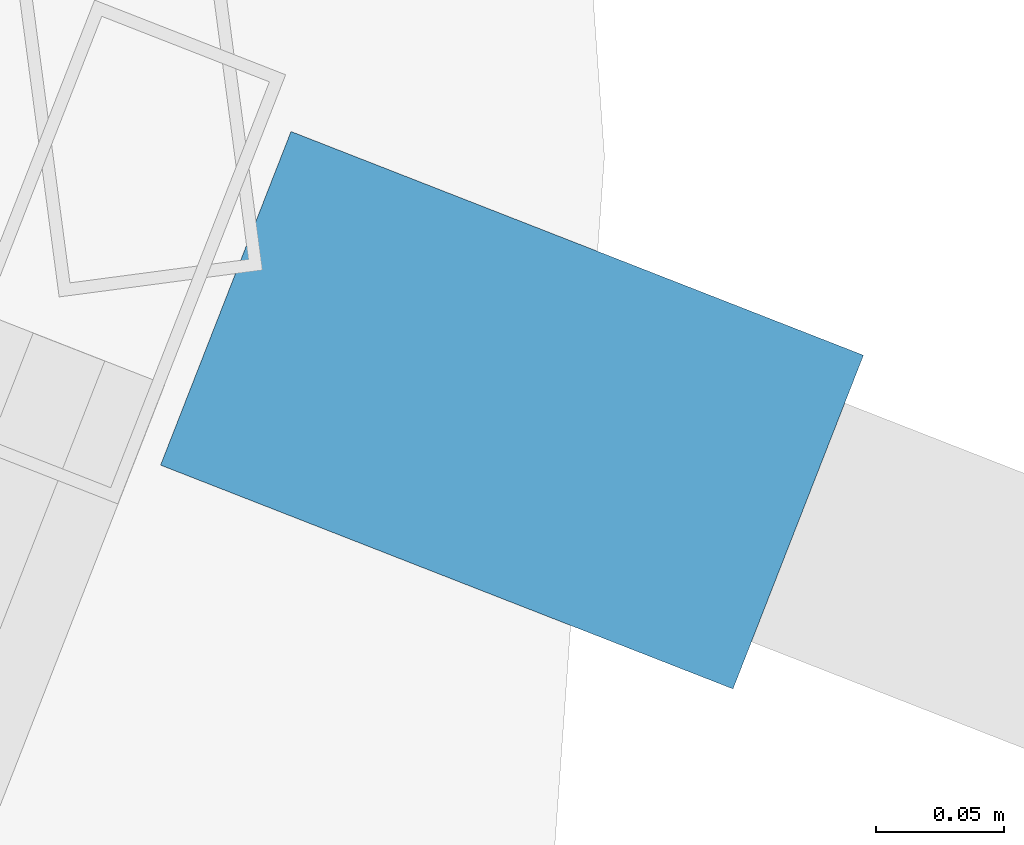
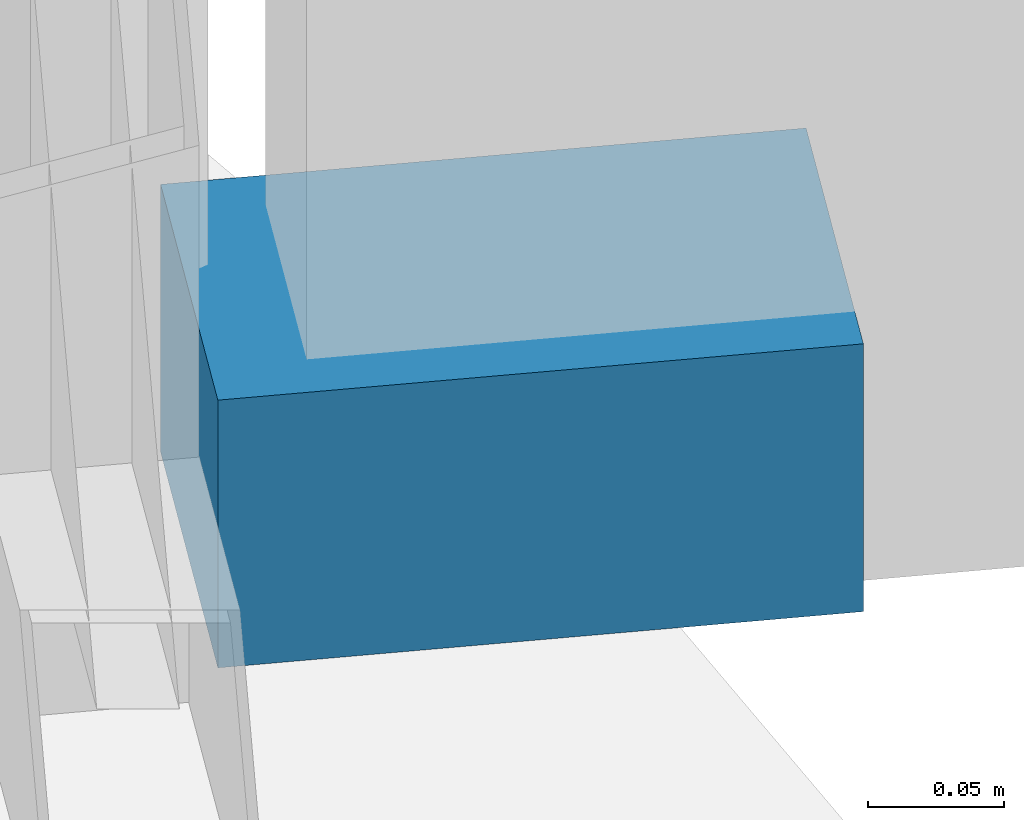
# One storey, part 30 of 33: 1 discrete accessory.
"""IFC4 building model written with IfcOpenShell, lengths in metres."""

from ifc_helpers import new_model, si_unit, direction, frame, origin, origin_2d, place, context, subcontext, project, spatial, rectangle, extrude, material, type_object, element, save


model = new_model("IFC4")

# Units and contexts
model_context = context("Model", 3, precision=1e-05, world=origin(), true_north=direction((0.0, 1.0)))
body_context = subcontext(model_context, "Body", "Model", "MODEL_VIEW")
ifc_project = project(units=[si_unit("LENGTHUNIT", "METRE"), si_unit("AREAUNIT", "SQUARE_METRE"), si_unit("VOLUMEUNIT", "CUBIC_METRE"), si_unit("PLANEANGLEUNIT", "RADIAN"), si_unit("MASSUNIT", "GRAM", prefix="KILO")], contexts=[model_context])

# Site, building, storey
site_placement = place(None, origin())
site = spatial("IfcSite", under=ifc_project, at=site_placement, CompositionType="ELEMENT")
building_placement = place(site_placement, origin())
building = spatial("IfcBuilding", under=site, at=building_placement, Name="Kazevale Care Tower and Concert Hall", CompositionType="ELEMENT")
storey_placement = place(building_placement, frame((0.0, 0.0, 145.800048828125)))
storey = spatial("IfcBuildingStorey", under=building, at=storey_placement, Name="L38", CompositionType="ELEMENT", Elevation=145.800048828125)

# Discrete accessory
ifc_material = material(Name="Stainless Steel 316", Category="steel")
discrete_accessory_type = type_object("IfcDiscreteAccessoryType", Name="Facade Fin Stainless Anchor Bracket BRK-1", PredefinedType="BRACKET", material=ifc_material)
discrete_accessory_placement = place(storey_placement, frame((79.36376953125, 37.90087890625, 0.0), z_axis=(0.0, 0.0, 1.0), x_axis=(0.931373876365, -0.364064146031, 0.0)))
element("IfcDiscreteAccessory", 1, at=discrete_accessory_placement, inside=storey, type_object=discrete_accessory_type, Name="cw:L38:f01:brk", PredefinedType="BRACKET", context=body_context, shape_type="SweptSolid", body=[
    extrude(rectangle(XDim=0.239990234375, YDim=0.139892578125, at=origin_2d()), origin(), (0.0, 0.0, 1.0), 0.1201171875),
])

save(model, "model.ifc")
